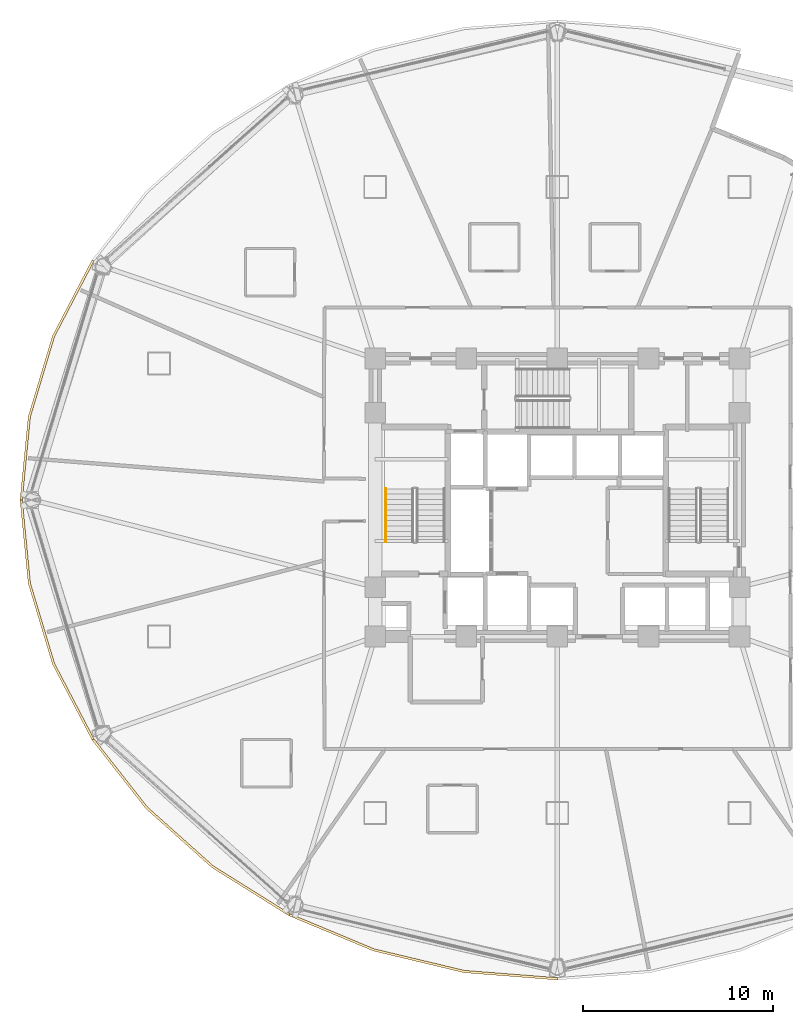
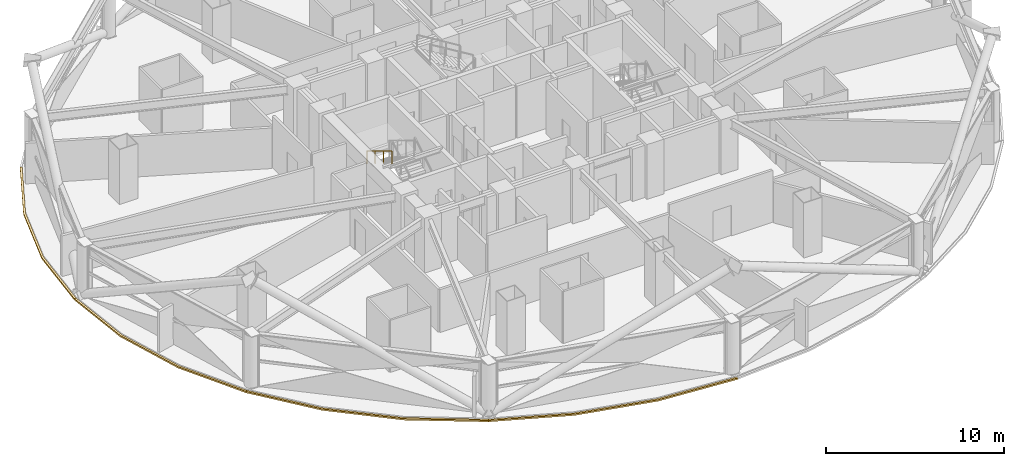
# One storey, part 29 of 33: 4 coverings, 1 railing.
"""IFC4 building model written with IfcOpenShell, lengths in metres."""

from ifc_helpers import new_model, si_unit, direction, frame, origin, origin_2d, place, context, subcontext, project, spatial, polyline, rectangle, outline, extrude, material, layer, layer_set, type_object, element, save


model = new_model("IFC4")

# Units and contexts
model_context = context("Model", 3, precision=1e-05, world=origin(), true_north=direction((0.0, 1.0)))
body_context = subcontext(model_context, "Body", "Model", "MODEL_VIEW")
ifc_project = project(units=[si_unit("LENGTHUNIT", "METRE"), si_unit("AREAUNIT", "SQUARE_METRE"), si_unit("VOLUMEUNIT", "CUBIC_METRE"), si_unit("PLANEANGLEUNIT", "RADIAN"), si_unit("MASSUNIT", "GRAM", prefix="KILO")], contexts=[model_context])

# Site, building, storey
site_placement = place(None, origin())
site = spatial("IfcSite", under=ifc_project, at=site_placement, CompositionType="ELEMENT")
building_placement = place(site_placement, origin())
building = spatial("IfcBuilding", under=site, at=building_placement, Name="Vantalir Tower", CompositionType="ELEMENT")
storey_placement = place(building_placement, frame((0.0, 0.0, 72.0)))
storey = spatial("IfcBuildingStorey", under=building, at=storey_placement, Name="L17", CompositionType="ELEMENT", Elevation=72.0)

# Coverings
ifc_material_1 = material(Name="Anodised champagne aluminium sill fascia", Category="aluminium")
ifc_layer = layer(ifc_material_1, 0.125)
ifc_layer_set = layer_set([ifc_layer], Name="Anodised champagne aluminium sill fascia")
covering_type = type_object("IfcCoveringType", Name="COV-SLAB-FASCIA-125", PredefinedType="CLADDING", material=ifc_layer_set)
covering_1_placement = place(storey_placement, frame((0.0, 0.0, -0.179931640625)))
element("IfcCovering", 1, at=covering_1_placement, inside=storey, type_object=covering_type, Name="L17 Perimeter Slab-Edge Sill Fascia 06", PredefinedType="CLADDING", context=body_context, shape_type="SweptSolid", body=[
    extrude(outline(polyline([(6.969970703125, 37.652099609375), (4.883056640625, 33.654052734375), (3.60498046875, 29.39404296875), (3.175048828125, 25.0), (3.300048828125, 25.0), (3.72802734375, 29.3720703125), (5.0009765625, 33.612060546875), (7.077880859375, 37.589111328125), (6.969970703125, 37.652099609375)])), origin(), (0.0, 0.0, 1.0), 0.10498046875),
])
covering_2_placement = place(storey_placement, frame((0.0, 0.0, -0.179931640625)))
element("IfcCovering", 2, at=covering_2_placement, inside=storey, type_object=covering_type, Name="L17 Perimeter Slab-Edge Sill Fascia 07", PredefinedType="CLADDING", context=body_context, shape_type="SweptSolid", body=[
    extrude(outline(polyline([(3.175048828125, 25.0), (3.60498046875, 20.60595703125), (4.883056640625, 16.345947265625), (6.969970703125, 12.347900390625), (7.077880859375, 12.409912109375), (5.0009765625, 16.387939453125), (3.72802734375, 20.6279296875), (3.300048828125, 25.0), (3.175048828125, 25.0)])), origin(), (0.0, 0.0, 1.0), 0.10498046875),
])
covering_3_placement = place(storey_placement, frame((0.0, 0.0, -0.179931640625)))
element("IfcCovering", 3, at=covering_3_placement, inside=storey, type_object=covering_type, Name="L17 Perimeter Slab-Edge Sill Fascia 08", PredefinedType="CLADDING", context=body_context, shape_type="SweptSolid", body=[
    extrude(outline(polyline([(6.969970703125, 12.347900390625), (9.802001953125, 8.735107421875), (13.29296875, 5.615966796875), (17.3369140625, 3.0859375), (17.39990234375, 3.194091796875), (13.373046875, 5.7119140625), (9.89794921875, 8.81494140625), (7.077880859375, 12.409912109375), (6.969970703125, 12.347900390625)])), origin(), (0.0, 0.0, 1.0), 0.10498046875),
])
covering_4_placement = place(storey_placement, frame((0.0, 0.0, -0.179931640625)))
element("IfcCovering", 4, at=covering_4_placement, inside=storey, type_object=covering_type, Name="L17 Perimeter Slab-Edge Sill Fascia 09", PredefinedType="CLADDING", context=body_context, shape_type="SweptSolid", body=[
    extrude(outline(polyline([(17.3369140625, 3.0859375), (21.81201171875, 1.221923828125), (26.5810546875, 0.080078125), (31.5, -0.303955078125), (31.5, -0.178955078125), (26.60302734375, 0.2041015625), (21.85498046875, 1.339111328125), (17.39990234375, 3.194091796875), (17.3369140625, 3.0859375)])), origin(), (0.0, 0.0, 1.0), 0.10498046875),
])

# Railing
ifc_material_2 = material(Name="Brushed stainless steel tubular handrail", Category="steel")
railing_type = type_object("IfcRailingType", Name="RAL-HANDRAIL-900", PredefinedType="HANDRAIL", material=ifc_material_2)
railing_placement = place(storey_placement, frame((22.449951171875, 25.590087890625, 2.04541015625)))
element("IfcRailing", 5, at=railing_placement, inside=storey, type_object=railing_type, Name="L17 ST1 stair handrail 2", PredefinedType="HANDRAIL", context=body_context, shape_type="SweptSolid", body=[
    extrude(rectangle(XDim=0.048095703125, YDim=0.048095703125, at=origin_2d()), frame((0.0, 0.0, 0.8759765625), z_axis=(0.0, -0.854169791009, 0.51999420009), x_axis=(1.0, 0.0, 0.0)), (0.0, 0.0, 1.0), 3.278076171875),
    extrude(rectangle(XDim=0.0419921875, YDim=0.0419921875, at=origin_2d()), origin(), (0.0, 0.0, 1.0), 0.851806640625),
    extrude(rectangle(XDim=0.0419921875, YDim=0.0419921875, at=origin_2d()), frame((0.0, -0.933349609375, 0.568115234375)), (0.0, 0.0, 1.0), 0.851806640625),
    extrude(rectangle(XDim=0.0419921875, YDim=0.0419921875, at=origin_2d()), frame((0.0, -1.86669921875, 1.136474609375)), (0.0, 0.0, 1.0), 0.851806640625),
    extrude(rectangle(XDim=0.0419921875, YDim=0.0419921875, at=origin_2d()), frame((0.0, -2.800048828125, 1.70458984375)), (0.0, 0.0, 1.0), 0.851806640625),
])

save(model, "model.ifc")
